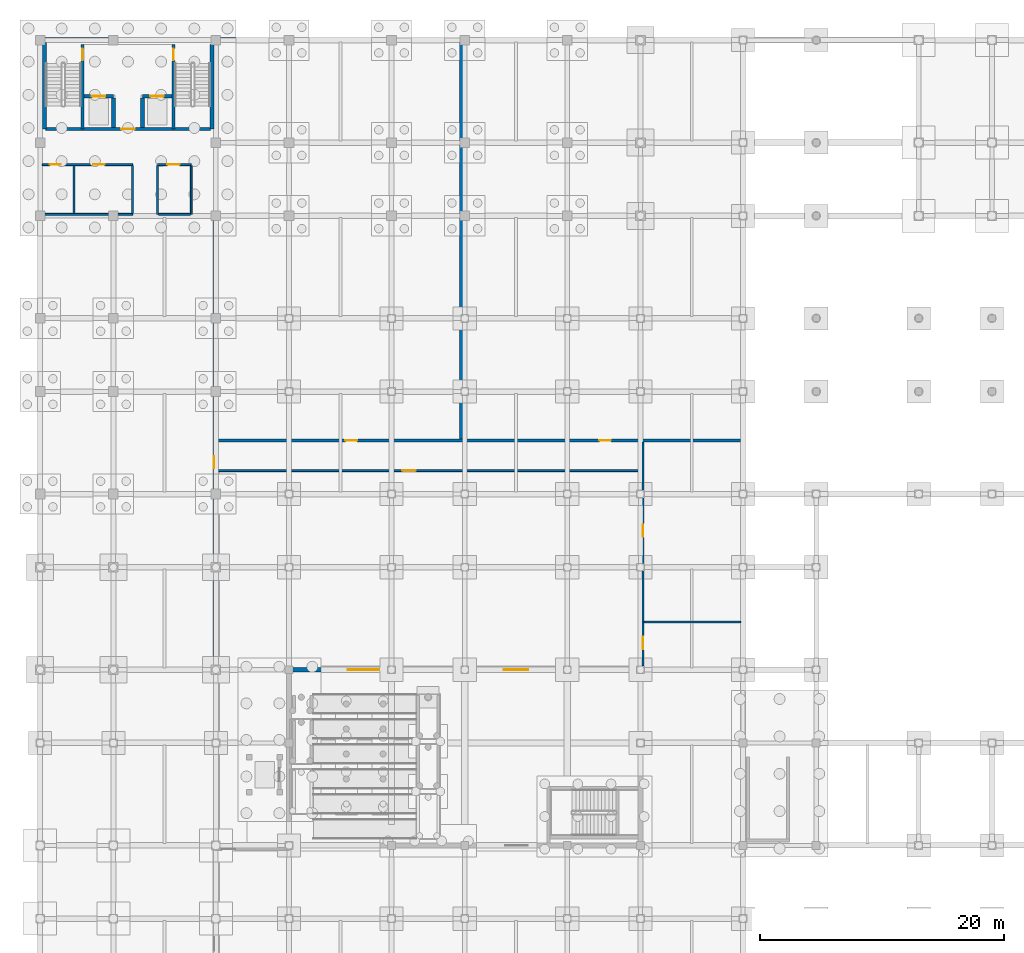
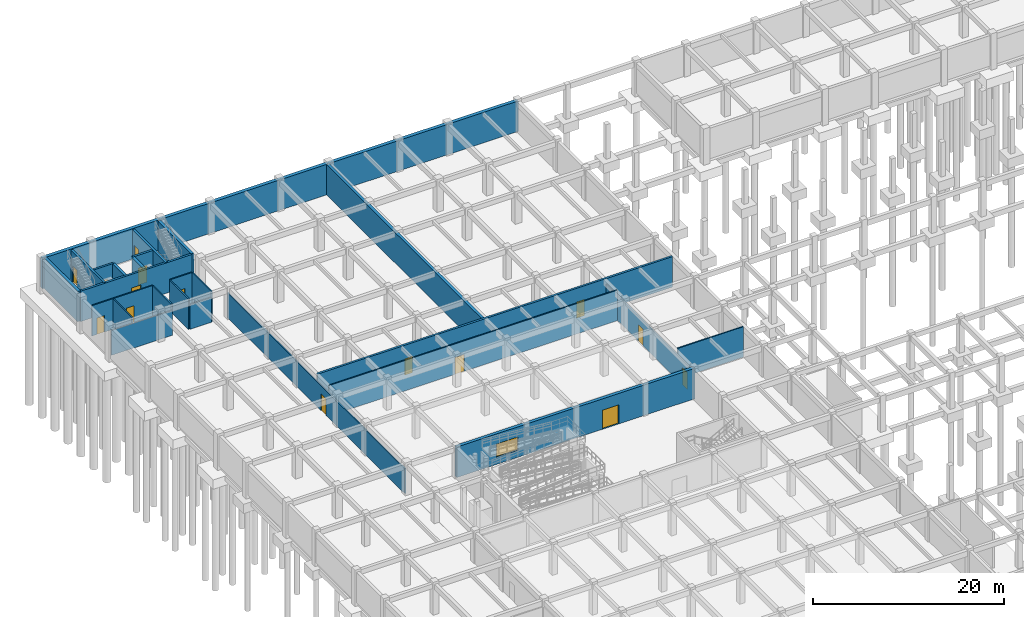
# One storey, part 28 of 40: 25 walls, 15 doors, 1 window, 16 openings.
"""IFC4 building model written with IfcOpenShell, lengths in metres."""

from ifc_helpers import new_model, si_unit, direction, frame, frame_2d, origin, place, context, subcontext, project, spatial, rectangle, extrude, material, layer, layer_set, type_object, element, fill, save


model = new_model("IFC4")

# Units and contexts
model_context = context("Model", 3, precision=1e-05, world=origin(), true_north=direction((0.0, 1.0)))
body_context = subcontext(model_context, "Body", "Model", "MODEL_VIEW")
ifc_project = project(units=[si_unit("LENGTHUNIT", "METRE"), si_unit("AREAUNIT", "SQUARE_METRE"), si_unit("VOLUMEUNIT", "CUBIC_METRE"), si_unit("PLANEANGLEUNIT", "RADIAN"), si_unit("MASSUNIT", "GRAM", prefix="KILO"), si_unit("THERMODYNAMICTEMPERATUREUNIT", "KELVIN")], contexts=[model_context])

# Site, building, storey
site_placement = place(None, origin())
site = spatial("IfcSite", under=ifc_project, at=site_placement, CompositionType="ELEMENT")
building_placement = place(site_placement, origin())
building = spatial("IfcBuilding", under=site, at=building_placement, Name="Thalorik Housing Commons", CompositionType="ELEMENT")
storey_placement = place(building_placement, frame((0.0, 0.0, -4.199951171875)))
storey = spatial("IfcBuildingStorey", under=building, at=storey_placement, Name="B1", CompositionType="ELEMENT", Elevation=-4.199951171875)

# Wall, opening, door
ifc_material_1 = material(Name="Concrete C40/50", Category="concrete")
ifc_layer_1 = layer(ifc_material_1, 0.25, Name="Concrete C40/50", Category="concrete")
ifc_layer_set_1 = layer_set([ifc_layer_1], Name="Concrete C40/50")
wall_type_1 = type_object("IfcWallType", Name="ARC-WAL-CORE-250", PredefinedType="SHEAR", material=ifc_layer_set_1)
wall_1_placement = place(storey_placement, frame((11.875, 123.25, 0.0), z_axis=(0.0, 0.0, 1.0), x_axis=(0.0, -1.0, 0.0)))
wall_1 = element("IfcWall", 1, at=wall_1_placement, inside=storey, type_object=wall_type_1, Name="B1 Core A Stair 1 Shear Wall", PredefinedType="SHEAR", context=body_context, shape_type="SweptSolid", body=[
    extrude(rectangle(XDim=6.925048828125, YDim=0.25, at=frame_2d((3.46240234375, 0.0))), origin(), (0.0, 0.0, 1.0), 3.89990234375),
])
opening_1_placement = place(wall_1_placement, frame((0.35009765625, 0.0, 0.0)))
opening_1 = element("IfcOpeningElement", 2, at=opening_1_placement, cuts=wall_1, Name="Opening ID-0001", PredefinedType="OPENING", context=body_context, shape_type="SweptSolid", body=[
    extrude(rectangle(XDim=0.949951171875, YDim=2.10009765625, at=frame_2d((0.47509765625, 1.050048828125))), frame((0.0, 0.135009765625, 0.0), z_axis=(0.0, -1.0, 0.0), x_axis=(1.0, 0.0, 0.0)), (0.0, 0.0, 1.0), 0.27001953125),
])
ifc_material_2 = material(Name="Steel S355", Category="steel")
door_type_1 = type_object("IfcDoorType", Name="ARC-DR-FD60-950", OperationType="NOTDEFINED", PredefinedType="DOOR", material=ifc_material_2)
door_1_placement = place(opening_1_placement, origin())
door_1 = element("IfcDoor", 3, at=door_1_placement, inside=storey, type_object=door_type_1, Name="B1 Stair ST-A1 Fire Door", OperationType="SINGLE_SWING_RIGHT", OverallHeight=2.10009765625, OverallWidth=0.949951171875, PredefinedType="DOOR", context=body_context, shape_type="SweptSolid", body=[
    extrude(rectangle(XDim=0.949951171875, YDim=2.10009765625, at=frame_2d((0.47509765625, 1.050048828125))), frame((0.0, 0.02490234375, 0.0), z_axis=(0.0, -1.0, 0.0), x_axis=(1.0, 0.0, 0.0)), (0.0, 0.0, 1.0), 0.050048828125),
])
fill(opening_1, door_1)

wall_2_placement = place(storey_placement, frame((19.324951171875, 123.25, 0.0), z_axis=(0.0, 0.0, 1.0), x_axis=(0.0, -1.0, 0.0)))
wall_2 = element("IfcWall", 4, at=wall_2_placement, inside=storey, type_object=wall_type_1, Name="B1 Core A Stair 2 Shear Wall", PredefinedType="SHEAR", context=body_context, shape_type="SweptSolid", body=[
    extrude(rectangle(XDim=6.925048828125, YDim=0.25, at=frame_2d((3.46240234375, 0.0))), origin(), (0.0, 0.0, 1.0), 3.89990234375),
])
opening_2_placement = place(wall_2_placement, frame((0.35009765625, 0.0, 0.0)))
opening_2 = element("IfcOpeningElement", 5, at=opening_2_placement, cuts=wall_2, Name="Opening ID-0002", PredefinedType="OPENING", context=body_context, shape_type="SweptSolid", body=[
    extrude(rectangle(XDim=0.949951171875, YDim=2.10009765625, at=frame_2d((0.47509765625, 1.050048828125))), frame((0.0, 0.135009765625, 0.0), z_axis=(0.0, -1.0, 0.0), x_axis=(1.0, 0.0, 0.0)), (0.0, 0.0, 1.0), 0.27001953125),
])
door_2_placement = place(opening_2_placement, origin())
door_2 = element("IfcDoor", 6, at=door_2_placement, inside=storey, type_object=door_type_1, Name="B1 Stair ST-A2 Fire Door", OperationType="SINGLE_SWING_LEFT", OverallHeight=2.10009765625, OverallWidth=0.949951171875, PredefinedType="DOOR", context=body_context, shape_type="SweptSolid", body=[
    extrude(rectangle(XDim=0.949951171875, YDim=2.10009765625, at=frame_2d((0.47509765625, 1.050048828125))), frame((0.0, 0.02490234375, 0.0), z_axis=(0.0, -1.0, 0.0), x_axis=(1.0, 0.0, 0.0)), (0.0, 0.0, 1.0), 0.050048828125),
])
fill(opening_2, door_2)

wall_3_placement = place(storey_placement, frame((12.0, 119.0, 0.0), z_axis=(0.0, 0.0, 1.0), x_axis=(1.0, 0.0, 0.0)))
wall_3 = element("IfcWall", 7, at=wall_3_placement, inside=storey, type_object=wall_type_1, Name="B1 Lift LF-A1 Front Shaft Wall", PredefinedType="SHEAR", context=body_context, shape_type="SweptSolid", body=[
    extrude(rectangle(XDim=2.425048828125, YDim=0.25, at=frame_2d((1.21240234375, 0.0))), origin(), (0.0, 0.0, 1.0), 3.89990234375),
])
opening_3_placement = place(wall_3_placement, frame((0.64990234375, 0.0, 0.0)))
opening_3 = element("IfcOpeningElement", 8, at=opening_3_placement, cuts=wall_3, Name="Opening LD-LF-A1-B1", PredefinedType="OPENING", context=body_context, shape_type="SweptSolid", body=[
    extrude(rectangle(XDim=1.10009765625, YDim=2.14990234375, at=frame_2d((0.550048828125, 1.074951171875))), frame((0.0, 0.135009765625, 0.0), z_axis=(0.0, -1.0, 0.0), x_axis=(1.0, 0.0, 0.0)), (0.0, 0.0, 1.0), 0.27001953125),
])
door_type_2 = type_object("IfcDoorType", Name="ARC-DR-LIFT-1100", OperationType="NOTDEFINED", PredefinedType="DOOR", material=ifc_material_2)
door_3_placement = place(opening_3_placement, origin())
door_3 = element("IfcDoor", 9, at=door_3_placement, inside=storey, type_object=door_type_2, Name="B1 Lift LF-A1 Landing Door", OperationType="SLIDING_TO_LEFT", OverallHeight=2.14990234375, OverallWidth=1.10009765625, PredefinedType="DOOR", context=body_context, shape_type="SweptSolid", body=[
    extrude(rectangle(XDim=1.10009765625, YDim=2.14990234375, at=frame_2d((0.550048828125, 1.074951171875))), frame((0.0, 0.02490234375, 0.0), z_axis=(0.0, -1.0, 0.0), x_axis=(1.0, 0.0, 0.0)), (0.0, 0.0, 1.0), 0.050048828125),
])
fill(opening_3, door_3)

wall_4_placement = place(storey_placement, frame((16.77490234375, 119.0, 0.0), z_axis=(0.0, 0.0, 1.0), x_axis=(1.0, 0.0, 0.0)))
wall_4 = element("IfcWall", 10, at=wall_4_placement, inside=storey, type_object=wall_type_1, Name="B1 Lift LP-A2 Front Shaft Wall", PredefinedType="SHEAR", context=body_context, shape_type="SweptSolid", body=[
    extrude(rectangle(XDim=2.425048828125, YDim=0.25, at=frame_2d((1.21240234375, 0.0))), origin(), (0.0, 0.0, 1.0), 3.89990234375),
])
opening_4_placement = place(wall_4_placement, frame((0.64990234375, 0.0, 0.0)))
opening_4 = element("IfcOpeningElement", 11, at=opening_4_placement, cuts=wall_4, Name="Opening LD-LP-A2-B1", PredefinedType="OPENING", context=body_context, shape_type="SweptSolid", body=[
    extrude(rectangle(XDim=1.10009765625, YDim=2.14990234375, at=frame_2d((0.550048828125, 1.074951171875))), frame((0.0, 0.135009765625, 0.0), z_axis=(0.0, -1.0, 0.0), x_axis=(1.0, 0.0, 0.0)), (0.0, 0.0, 1.0), 0.27001953125),
])
door_4_placement = place(opening_4_placement, origin())
door_4 = element("IfcDoor", 12, at=door_4_placement, inside=storey, type_object=door_type_2, Name="B1 Lift LP-A2 Landing Door", OperationType="SLIDING_TO_LEFT", OverallHeight=2.14990234375, OverallWidth=1.10009765625, PredefinedType="DOOR", context=body_context, shape_type="SweptSolid", body=[
    extrude(rectangle(XDim=1.10009765625, YDim=2.14990234375, at=frame_2d((0.550048828125, 1.074951171875))), frame((0.0, 0.02490234375, 0.0), z_axis=(0.0, -1.0, 0.0), x_axis=(1.0, 0.0, 0.0)), (0.0, 0.0, 1.0), 0.050048828125),
])
fill(opening_4, door_4)

wall_5_placement = place(storey_placement, frame((8.85009765625, 116.324951171875, 0.0), z_axis=(0.0, 0.0, 1.0), x_axis=(1.0, 0.0, 0.0)))
wall_5 = element("IfcWall", 13, at=wall_5_placement, inside=storey, type_object=wall_type_1, Name="B1 Core A Spine Shear Wall", PredefinedType="SHEAR", context=body_context, shape_type="SweptSolid", body=[
    extrude(rectangle(XDim=13.5, YDim=0.25, at=frame_2d((6.75, 0.0))), origin(), (0.0, 0.0, 1.0), 3.89990234375),
])
opening_5_placement = place(wall_5_placement, frame((6.199951171875, 0.0, 0.0)))
opening_5 = element("IfcOpeningElement", 14, at=opening_5_placement, cuts=wall_5, Name="Opening ID-0005", PredefinedType="OPENING", context=body_context, shape_type="SweptSolid", body=[
    extrude(rectangle(XDim=1.10009765625, YDim=2.14990234375, at=frame_2d((0.550048828125, 1.074951171875))), frame((0.0, 0.135009765625, 0.0), z_axis=(0.0, -1.0, 0.0), x_axis=(1.0, 0.0, 0.0)), (0.0, 0.0, 1.0), 0.27001953125),
])
door_type_3 = type_object("IfcDoorType", Name="ARC-DR-FD60-1100", OperationType="NOTDEFINED", PredefinedType="DOOR", material=ifc_material_2)
door_5_placement = place(opening_5_placement, origin())
door_5 = element("IfcDoor", 15, at=door_5_placement, inside=storey, type_object=door_type_3, Name="B1 Core A Lobby Fire Door", OperationType="SINGLE_SWING_RIGHT", OverallHeight=2.14990234375, OverallWidth=1.10009765625, PredefinedType="DOOR", context=body_context, shape_type="SweptSolid", body=[
    extrude(rectangle(XDim=1.10009765625, YDim=2.14990234375, at=frame_2d((0.550048828125, 1.074951171875))), frame((0.0, 0.02490234375, 0.0), z_axis=(0.0, -1.0, 0.0), x_axis=(1.0, 0.0, 0.0)), (0.0, 0.0, 1.0), 0.050048828125),
])
fill(opening_5, door_5)

# Wall, openings, doors
wall_6_placement = place(storey_placement, frame((22.800048828125, 90.780029296875, 0.0), z_axis=(0.0, 0.0, 1.0), x_axis=(1.0, 0.0, 0.0)))
wall_6 = element("IfcWall", 16, at=wall_6_placement, inside=storey, type_object=wall_type_1, Name="B1 Cistern Tank Wall", PredefinedType="SHEAR", context=body_context, shape_type="SweptSolid", body=[
    extrude(rectangle(XDim=43.0, YDim=0.25, at=frame_2d((21.5, 0.0))), origin(), (0.0, 0.0, 1.0), 3.89990234375),
])
opening_6_placement = place(wall_6_placement, frame((10.62255859375, 0.0, 0.0)))
opening_6 = element("IfcOpeningElement", 17, at=opening_6_placement, cuts=wall_6, Name="Opening ID-2231", PredefinedType="OPENING", context=body_context, shape_type="SweptSolid", body=[
    extrude(rectangle(XDim=0.949951171875, YDim=2.10009765625, at=frame_2d((0.47509765625, 1.050048828125))), frame((0.0, 0.135009765625, 0.0), z_axis=(0.0, -1.0, 0.0), x_axis=(1.0, 0.0, 0.0)), (0.0, 0.0, 1.0), 0.27001953125),
])
opening_7_placement = place(wall_6_placement, frame((31.427490234375, 0.0, 0.0)))
opening_7 = element("IfcOpeningElement", 18, at=opening_7_placement, cuts=wall_6, Name="Opening ID-2232", PredefinedType="OPENING", context=body_context, shape_type="SweptSolid", body=[
    extrude(rectangle(XDim=0.949951171875, YDim=2.10009765625, at=frame_2d((0.47509765625, 1.050048828125))), frame((0.0, 0.135009765625, 0.0), z_axis=(0.0, -1.0, 0.0), x_axis=(1.0, 0.0, 0.0)), (0.0, 0.0, 1.0), 0.27001953125),
])
door_6_placement = place(opening_6_placement, origin())
door_6 = element("IfcDoor", 19, at=door_6_placement, inside=storey, type_object=door_type_1, Name="Potable Cistern Valve Access Door", OperationType="SINGLE_SWING_RIGHT", OverallHeight=2.10009765625, OverallWidth=0.949951171875, PredefinedType="DOOR", context=body_context, shape_type="SweptSolid", body=[
    extrude(rectangle(XDim=0.949951171875, YDim=2.10009765625, at=frame_2d((0.47509765625, 1.050048828125))), frame((0.0, 0.02490234375, 0.0), z_axis=(0.0, -1.0, 0.0), x_axis=(1.0, 0.0, 0.0)), (0.0, 0.0, 1.0), 0.050048828125),
])
fill(opening_6, door_6)
door_7_placement = place(opening_7_placement, origin())
door_7 = element("IfcDoor", 20, at=door_7_placement, inside=storey, type_object=door_type_1, Name="Stormwater Tank Access Door", OperationType="SINGLE_SWING_LEFT", OverallHeight=2.10009765625, OverallWidth=0.949951171875, PredefinedType="DOOR", context=body_context, shape_type="SweptSolid", body=[
    extrude(rectangle(XDim=0.949951171875, YDim=2.10009765625, at=frame_2d((0.47509765625, 1.050048828125))), frame((0.0, 0.02490234375, 0.0), z_axis=(0.0, -1.0, 0.0), x_axis=(1.0, 0.0, 0.0)), (0.0, 0.0, 1.0), 0.050048828125),
])
fill(opening_7, door_7)

# Walls
ifc_layer_2 = layer(ifc_material_1, 0.340087890625, Name="Concrete C40/50", Category="concrete")
ifc_layer_set_2 = layer_set([ifc_layer_2], Name="Concrete C40/50")
wall_type_2 = type_object("IfcWallType", Name="ARC-WAL-CORE-340", PredefinedType="SHEAR", material=ifc_layer_set_2)
wall_7_placement = place(storey_placement, frame((8.764892578125, 123.39990234375, 0.0), z_axis=(0.0, 0.0, 1.0), x_axis=(0.0, -1.0, 0.0)))
element("IfcWall", 21, at=wall_7_placement, inside=storey, type_object=wall_type_2, Name="B1 Core A Stair 1 Outer Shear Wall", PredefinedType="SHEAR", context=body_context, shape_type="SweptSolid", body=[
    extrude(rectangle(XDim=7.074951171875, YDim=0.340087890625, at=frame_2d((3.53759765625, 0.0))), origin(), (0.0, 0.0, 1.0), 3.89990234375),
])
wall_8_placement = place(storey_placement, frame((22.47509765625, 123.25, 0.0), z_axis=(0.0, 0.0, 1.0), x_axis=(0.0, -1.0, 0.0)))
element("IfcWall", 22, at=wall_8_placement, inside=storey, type_object=wall_type_2, Name="B1 Core A Stair 2 Outer Shear Wall", PredefinedType="SHEAR", context=body_context, shape_type="SweptSolid", body=[
    extrude(rectangle(XDim=6.925048828125, YDim=0.340087890625, at=frame_2d((3.46240234375, 0.0))), origin(), (0.0, 0.0, 1.0), 3.89990234375),
])
for number, where, z_axis, x_axis, name in (
    (23, (14.425048828125, 118.875, 0.0), (0.0, 0.0, 1.0), (0.0, -1.0, 0.0), "B1 Lift 1 Cheek Wall"),
    (24, (16.77490234375, 118.875, 0.0), (0.0, 0.0, 1.0), (0.0, -1.0, 0.0), "B1 Lift 2 Cheek Wall"),
):
    element("IfcWall", number, at=place(storey_placement, frame(where, z_axis=z_axis, x_axis=x_axis)), inside=storey, type_object=wall_type_2, Name=name, PredefinedType="SHEAR", context=body_context, shape_type="SweptSolid", body=[
        extrude(rectangle(XDim=2.425048828125, YDim=0.340087890625, at=frame_2d((1.21240234375, 0.0))), origin(), (0.0, 0.0, 1.0), 3.89990234375),
    ])
wall_9_placement = place(storey_placement, frame((42.949951171875, 90.780029296875, 0.0), z_axis=(0.0, 0.0, 1.0), x_axis=(0.0, 1.0, 0.0)))
element("IfcWall", 25, at=wall_9_placement, inside=storey, type_object=wall_type_2, Name="B1 Cistern Compartment Wall", PredefinedType="SHEAR", context=body_context, shape_type="SweptSolid", body=[
    extrude(rectangle(XDim=32.619873046875, YDim=0.340087890625, at=frame_2d((16.31005859375, 0.0))), origin(), (0.0, 0.0, 1.0), 3.89990234375),
])

# Wall, opening, door
ifc_material_3 = material(Name="Masonry fire-rated corridor wall", Category="masonry")
ifc_layer_3 = layer(ifc_material_3, 0.14990234375, Name="Masonry fire-rated corridor wall", Category="masonry")
ifc_layer_set_3 = layer_set([ifc_layer_3], Name="Masonry fire-rated corridor wall")
wall_type_3 = type_object("IfcWallType", Name="ARC-WAL-CORR-150", PredefinedType="PARTITIONING", material=ifc_layer_set_3)
wall_10_placement = place(storey_placement, frame((22.800048828125, 88.320068359375, 0.0), z_axis=(0.0, 0.0, 1.0), x_axis=(1.0, 0.0, 0.0)))
wall_10 = element("IfcWall", 26, at=wall_10_placement, inside=storey, type_object=wall_type_3, Name="B1 Metro Vestibule North Wall", PredefinedType="PARTITIONING", context=body_context, shape_type="SweptSolid", body=[
    extrude(rectangle(XDim=34.924072265625, YDim=0.14990234375, at=frame_2d((17.4619140625, 0.0))), origin(), (0.0, 0.0, 1.0), 3.89990234375),
])
opening_8_placement = place(wall_10_placement, frame((15.277099609375, 0.0, 0.0)))
opening_8 = element("IfcOpeningElement", 27, at=opening_8_placement, cuts=wall_10, Name="Opening ID-2230", PredefinedType="OPENING", context=body_context, shape_type="SweptSolid", body=[
    extrude(rectangle(XDim=1.10009765625, YDim=2.14990234375, at=frame_2d((0.550048828125, 1.074951171875))), frame((0.0, 0.0849609375, 0.0), z_axis=(0.0, -1.0, 0.0), x_axis=(1.0, 0.0, 0.0)), (0.0, 0.0, 1.0), 0.169921875),
])
door_8_placement = place(opening_8_placement, origin())
door_8 = element("IfcDoor", 28, at=door_8_placement, inside=storey, type_object=door_type_3, Name="Metro Vestibule Service Door", OperationType="SINGLE_SWING_LEFT", OverallHeight=2.14990234375, OverallWidth=1.10009765625, PredefinedType="DOOR", context=body_context, shape_type="SweptSolid", body=[
    extrude(rectangle(XDim=1.10009765625, YDim=2.14990234375, at=frame_2d((0.550048828125, 1.074951171875))), frame((0.0, 0.02490234375, 0.0), z_axis=(0.0, -1.0, 0.0), x_axis=(1.0, 0.0, 0.0)), (0.0, 0.0, 1.0), 0.050048828125),
])
fill(opening_8, door_8)

# Walls
ifc_material_4 = material(Name="Ceramic masonry partition wall", Category="masonry")
ifc_layer_4 = layer(ifc_material_4, 0.14794921875, Name="Ceramic masonry partition wall", Category="masonry")
ifc_layer_set_4 = layer_set([ifc_layer_4], Name="Ceramic masonry partition wall")
wall_type_4 = type_object("IfcWallType", Name="ARC-WAL-PART-150", PredefinedType="PARTITIONING", material=ifc_layer_set_4)
for number, where, z_axis, x_axis, name in (
    (29, (11.175048828125, 113.323974609375, 0.0), (0.0, 0.0, 1.0), (0.0, -1.0, 0.0), "Riser Wall"),
    (30, (15.97509765625, 113.323974609375, 0.0), (0.0, 0.0, 1.0), (0.0, -1.0, 0.0), "Core Stem West Cheek Wall"),
):
    element("IfcWall", number, at=place(storey_placement, frame(where, z_axis=z_axis, x_axis=x_axis)), inside=storey, type_object=wall_type_4, Name=name, PredefinedType="PARTITIONING", context=body_context, shape_type="SweptSolid", body=[
        extrude(rectangle(XDim=3.927978515625, YDim=0.14794921875, at=frame_2d((1.9638671875, 0.0))), origin(), (0.0, 0.0, 1.0), 3.89990234375),
    ])
for number, where, z_axis, x_axis, name in (
    (31, (18.02490234375, 113.323974609375, 0.0), (0.0, 0.0, 1.0), (0.0, -1.0, 0.0), "Core Stem East Cheek Wall"),
    (32, (20.780029296875, 113.323974609375, 0.0), (0.0, 0.0, 1.0), (0.0, -1.0, 0.0), "Core East Enclosing Wall"),
):
    element("IfcWall", number, at=place(storey_placement, frame(where, z_axis=z_axis, x_axis=x_axis)), inside=storey, type_object=wall_type_4, Name=name, PredefinedType="PARTITIONING", context=body_context, shape_type="SweptSolid", body=[
        extrude(rectangle(XDim=4.00390625, YDim=0.14794921875, at=frame_2d((2.001953125, 0.0))), origin(), (0.0, 0.0, 1.0), 3.89990234375),
    ])

# Wall, openings, doors
wall_11_placement = place(storey_placement, frame((8.592041015625, 113.39990234375, 0.0), z_axis=(0.0, 0.0, 1.0), x_axis=(1.0, 0.0, 0.0)))
wall_11 = element("IfcWall", 33, at=wall_11_placement, inside=storey, type_object=wall_type_4, Name="B1 Core A West Corridor Partition", PredefinedType="PARTITIONING", context=body_context, shape_type="SweptSolid", body=[
    extrude(rectangle(XDim=7.383056640625, YDim=0.14794921875, at=frame_2d((3.69140625, 0.0))), origin(), (0.0, 0.0, 1.0), 3.89990234375),
])
opening_9_placement = place(wall_11_placement, frame((0.597900390625, 0.0, 0.0)))
opening_9 = element("IfcOpeningElement", 34, at=opening_9_placement, cuts=wall_11, Name="Opening ID-0006", PredefinedType="OPENING", context=body_context, shape_type="SweptSolid", body=[
    extrude(rectangle(XDim=0.89990234375, YDim=2.10009765625, at=frame_2d((0.449951171875, 1.050048828125))), frame((0.0, 0.083984375, 0.0), z_axis=(0.0, -1.0, 0.0), x_axis=(1.0, 0.0, 0.0)), (0.0, 0.0, 1.0), 0.16796875),
])
opening_10_placement = place(wall_11_placement, frame((4.14794921875, 0.0, 0.0)))
opening_10 = element("IfcOpeningElement", 35, at=opening_10_placement, cuts=wall_11, Name="Opening ID-0007", PredefinedType="OPENING", context=body_context, shape_type="SweptSolid", body=[
    extrude(rectangle(XDim=0.949951171875, YDim=2.10009765625, at=frame_2d((0.47509765625, 1.050048828125))), frame((0.0, 0.083984375, 0.0), z_axis=(0.0, -1.0, 0.0), x_axis=(1.0, 0.0, 0.0)), (0.0, 0.0, 1.0), 0.16796875),
])
door_type_4 = type_object("IfcDoorType", Name="ARC-DR-FD60-900", OperationType="NOTDEFINED", PredefinedType="DOOR", material=ifc_material_2)
door_9_placement = place(opening_9_placement, origin())
door_9 = element("IfcDoor", 36, at=door_9_placement, inside=storey, type_object=door_type_4, Name="Electrical Riser Door", OperationType="SINGLE_SWING_LEFT", OverallHeight=2.10009765625, OverallWidth=0.89990234375, PredefinedType="DOOR", context=body_context, shape_type="SweptSolid", body=[
    extrude(rectangle(XDim=0.89990234375, YDim=2.10009765625, at=frame_2d((0.449951171875, 1.050048828125))), frame((0.0, 0.02490234375, 0.0), z_axis=(0.0, -1.0, 0.0), x_axis=(1.0, 0.0, 0.0)), (0.0, 0.0, 1.0), 0.050048828125),
])
fill(opening_9, door_9)
ifc_material_5 = material(Name="Engineered oak timber", Category="wood")
door_type_5 = type_object("IfcDoorType", Name="ARC-DR-INT-950", OperationType="NOTDEFINED", PredefinedType="DOOR", material=ifc_material_5)
door_10_placement = place(opening_10_placement, origin())
door_10 = element("IfcDoor", 37, at=door_10_placement, inside=storey, type_object=door_type_5, Name="Accessible Bathroom Door", OperationType="SINGLE_SWING_RIGHT", OverallHeight=2.10009765625, OverallWidth=0.949951171875, PredefinedType="DOOR", context=body_context, shape_type="SweptSolid", body=[
    extrude(rectangle(XDim=0.949951171875, YDim=2.10009765625, at=frame_2d((0.47509765625, 1.050048828125))), frame((0.0, 0.02490234375, 0.0), z_axis=(0.0, -1.0, 0.0), x_axis=(1.0, 0.0, 0.0)), (0.0, 0.0, 1.0), 0.050048828125),
])
fill(opening_10, door_10)

# Wall, opening, door
wall_12_placement = place(storey_placement, frame((18.02490234375, 113.39990234375, 0.0), z_axis=(0.0, 0.0, 1.0), x_axis=(1.0, 0.0, 0.0)))
wall_12 = element("IfcWall", 38, at=wall_12_placement, inside=storey, type_object=wall_type_4, Name="B1 Core A East Corridor Partition", PredefinedType="PARTITIONING", context=body_context, shape_type="SweptSolid", body=[
    extrude(rectangle(XDim=2.755126953125, YDim=0.14794921875, at=frame_2d((1.37744140625, 0.0))), origin(), (0.0, 0.0, 1.0), 3.89990234375),
])
opening_11_placement = place(wall_12_placement, frame((0.800048828125, 0.0, 0.0)))
opening_11 = element("IfcOpeningElement", 39, at=opening_11_placement, cuts=wall_12, Name="Opening ID-0008", PredefinedType="OPENING", context=body_context, shape_type="SweptSolid", body=[
    extrude(rectangle(XDim=1.0, YDim=2.14990234375, at=frame_2d((0.5, 1.074951171875))), frame((0.0, 0.083984375, 0.0), z_axis=(0.0, -1.0, 0.0), x_axis=(1.0, 0.0, 0.0)), (0.0, 0.0, 1.0), 0.16796875),
])
door_type_6 = type_object("IfcDoorType", Name="ARC-DR-FD60-1000", OperationType="NOTDEFINED", PredefinedType="DOOR", material=ifc_material_2)
door_11_placement = place(opening_11_placement, origin())
door_11 = element("IfcDoor", 40, at=door_11_placement, inside=storey, type_object=door_type_6, Name="Core Hub Room Door", OperationType="SINGLE_SWING_LEFT", OverallHeight=2.14990234375, OverallWidth=1.0, PredefinedType="DOOR", context=body_context, shape_type="SweptSolid", body=[
    extrude(rectangle(XDim=1.0, YDim=2.14990234375, at=frame_2d((0.5, 1.074951171875))), frame((0.0, 0.02490234375, 0.0), z_axis=(0.0, -1.0, 0.0), x_axis=(1.0, 0.0, 0.0)), (0.0, 0.0, 1.0), 0.050048828125),
])
fill(opening_11, door_11)

# Walls
wall_13_placement = place(storey_placement, frame((8.592041015625, 109.320068359375, 0.0), z_axis=(0.0, 0.0, 1.0), x_axis=(1.0, 0.0, 0.0)))
element("IfcWall", 41, at=wall_13_placement, inside=storey, type_object=wall_type_4, Name="B1 Core A West Rooms Back Wall", PredefinedType="PARTITIONING", context=body_context, shape_type="SweptSolid", body=[
    extrude(rectangle(XDim=7.383056640625, YDim=0.14794921875, at=frame_2d((3.69140625, 0.0))), origin(), (0.0, 0.0, 1.0), 3.18505859375),
])
wall_14_placement = place(storey_placement, frame((18.10107421875, 109.320068359375, 0.0), z_axis=(0.0, 0.0, 1.0), x_axis=(1.0, 0.0, 0.0)))
element("IfcWall", 42, at=wall_14_placement, inside=storey, type_object=wall_type_4, Name="B1 Core A East Rooms Back Wall", PredefinedType="PARTITIONING", context=body_context, shape_type="SweptSolid", body=[
    extrude(rectangle(XDim=2.60302734375, YDim=0.14794921875, at=frame_2d((1.301513671875, 0.0))), origin(), (0.0, 0.0, 1.0), 3.18505859375),
])

# Wall, openings, doors
wall_15_placement = place(storey_placement, frame((57.800048828125, 72.300048828125, 0.0), z_axis=(0.0, 0.0, 1.0), x_axis=(0.0, 1.0, 0.0)))
wall_15 = element("IfcWall", 43, at=wall_15_placement, inside=storey, type_object=wall_type_4, Name="B1 East Plant Corridor Wall", PredefinedType="PARTITIONING", context=body_context, shape_type="SweptSolid", body=[
    extrude(rectangle(XDim=18.349853515625, YDim=0.14794921875, at=frame_2d((9.1748046875, 0.0))), origin(), (0.0, 0.0, 1.0), 3.18505859375),
])
opening_12_placement = place(wall_15_placement, frame((1.39990234375, 0.0, 0.0)))
opening_12 = element("IfcOpeningElement", 44, at=opening_12_placement, cuts=wall_15, Name="Opening ID-2227", PredefinedType="OPENING", context=body_context, shape_type="SweptSolid", body=[
    extrude(rectangle(XDim=1.0, YDim=2.14990234375, at=frame_2d((0.5, 1.074951171875))), frame((0.0, 0.083984375, 0.0), z_axis=(0.0, -1.0, 0.0), x_axis=(1.0, 0.0, 0.0)), (0.0, 0.0, 1.0), 0.16796875),
])
opening_13_placement = place(wall_15_placement, frame((10.60009765625, 0.0, 0.0)))
opening_13 = element("IfcOpeningElement", 45, at=opening_13_placement, cuts=wall_15, Name="Opening ID-2228", PredefinedType="OPENING", context=body_context, shape_type="SweptSolid", body=[
    extrude(rectangle(XDim=1.0, YDim=2.14990234375, at=frame_2d((0.5, 1.074951171875))), frame((0.0, 0.083984375, 0.0), z_axis=(0.0, -1.0, 0.0), x_axis=(1.0, 0.0, 0.0)), (0.0, 0.0, 1.0), 0.16796875),
])
door_12_placement = place(opening_12_placement, origin())
door_12 = element("IfcDoor", 46, at=door_12_placement, inside=storey, type_object=door_type_6, Name="B1 Electrical Substation Door", OperationType="SINGLE_SWING_RIGHT", OverallHeight=2.14990234375, OverallWidth=1.0, PredefinedType="DOOR", context=body_context, shape_type="SweptSolid", body=[
    extrude(rectangle(XDim=1.0, YDim=2.14990234375, at=frame_2d((0.5, 1.074951171875))), frame((0.0, 0.02490234375, 0.0), z_axis=(0.0, -1.0, 0.0), x_axis=(1.0, 0.0, 0.0)), (0.0, 0.0, 1.0), 0.050048828125),
])
fill(opening_12, door_12)
door_13_placement = place(opening_13_placement, origin())
door_13 = element("IfcDoor", 47, at=door_13_placement, inside=storey, type_object=door_type_6, Name="B1 Pump Plant Door", OperationType="SINGLE_SWING_LEFT", OverallHeight=2.14990234375, OverallWidth=1.0, PredefinedType="DOOR", context=body_context, shape_type="SweptSolid", body=[
    extrude(rectangle(XDim=1.0, YDim=2.14990234375, at=frame_2d((0.5, 1.074951171875))), frame((0.0, 0.02490234375, 0.0), z_axis=(0.0, -1.0, 0.0), x_axis=(1.0, 0.0, 0.0)), (0.0, 0.0, 1.0), 0.050048828125),
])
fill(opening_13, door_13)

# Wall
wall_16_placement = place(storey_placement, frame((57.8759765625, 75.919921875, 0.0), z_axis=(0.0, 0.0, 1.0), x_axis=(1.0, 0.0, 0.0)))
element("IfcWall", 48, at=wall_16_placement, inside=storey, type_object=wall_type_4, Name="B1 Plant Divider Wall", PredefinedType="PARTITIONING", context=body_context, shape_type="SweptSolid", body=[
    extrude(rectangle(XDim=7.924072265625, YDim=0.14794921875, at=frame_2d((3.9619140625, 0.0))), origin(), (0.0, 0.0, 1.0), 3.89990234375),
])

# Wall, opening, door
wall_17_placement = place(storey_placement, frame((22.64990234375, 72.0, 0.0), z_axis=(0.0, 0.0, 1.0), x_axis=(0.0, 1.0, 0.0)))
wall_17 = element("IfcWall", 49, at=wall_17_placement, inside=storey, type_object=wall_type_4, Name="B1 Household Storage East Wall", PredefinedType="PARTITIONING", context=body_context, shape_type="SweptSolid", body=[
    extrude(rectangle(XDim=37.199951171875, YDim=0.14794921875, at=frame_2d((18.60009765625, 0.0))), origin(), (0.0, 0.0, 1.0), 3.18505859375),
])
opening_14_placement = place(wall_17_placement, frame((16.5, 0.0, 0.0)))
opening_14 = element("IfcOpeningElement", 50, at=opening_14_placement, cuts=wall_17, Name="Opening ID-2229", PredefinedType="OPENING", context=body_context, shape_type="SweptSolid", body=[
    extrude(rectangle(XDim=1.0, YDim=2.14990234375, at=frame_2d((0.5, 1.074951171875))), frame((0.0, 0.083984375, 0.0), z_axis=(0.0, -1.0, 0.0), x_axis=(1.0, 0.0, 0.0)), (0.0, 0.0, 1.0), 0.16796875),
])
door_14_placement = place(opening_14_placement, origin())
door_14 = element("IfcDoor", 51, at=door_14_placement, inside=storey, type_object=door_type_6, Name="B1 Household Storage Door", OperationType="SINGLE_SWING_RIGHT", OverallHeight=2.14990234375, OverallWidth=1.0, PredefinedType="DOOR", context=body_context, shape_type="SweptSolid", body=[
    extrude(rectangle(XDim=1.0, YDim=2.14990234375, at=frame_2d((0.5, 1.074951171875))), frame((0.0, 0.02490234375, 0.0), z_axis=(0.0, -1.0, 0.0), x_axis=(1.0, 0.0, 0.0)), (0.0, 0.0, 1.0), 0.050048828125),
])
fill(opening_14, door_14)

# Wall, openings, door, window
ifc_layer_5 = layer(ifc_material_1, 0.3798828125, Name="Concrete C40/50", Category="concrete")
ifc_layer_set_5 = layer_set([ifc_layer_5], Name="Concrete C40/50")
wall_type_5 = type_object("IfcWallType", Name="ARC-WAL-RET-380", PredefinedType="SHEAR", material=ifc_layer_set_5)
wall_18_placement = place(storey_placement, frame((28.800048828125, 72.0, 0.0), z_axis=(0.0, 0.0, 1.0), x_axis=(1.0, 0.0, 0.0)))
wall_18 = element("IfcWall", 52, at=wall_18_placement, inside=storey, type_object=wall_type_5, Name="B1 Exterior Wall WAL-B1-RET-07", PredefinedType="SHEAR", context=body_context, shape_type="SweptSolid", body=[
    extrude(rectangle(XDim=28.800048828125, YDim=0.3798828125, at=frame_2d((14.39990234375, 0.0))), origin(), (0.0, 0.0, 1.0), 3.89990234375),
])
opening_15_placement = place(wall_18_placement, frame((17.60009765625, 0.0, 0.0)))
opening_15 = element("IfcOpeningElement", 53, at=opening_15_placement, cuts=wall_18, Name="Opening ED-0002", PredefinedType="OPENING", context=body_context, shape_type="SweptSolid", body=[
    extrude(rectangle(XDim=2.0, YDim=2.449951171875, at=frame_2d((1.0, 1.22509765625))), frame((0.0, 0.199951171875, 0.0), z_axis=(0.0, -1.0, 0.0), x_axis=(1.0, 0.0, 0.0)), (0.0, 0.0, 1.0), 0.39990234375),
])
opening_16_placement = place(wall_18_placement, frame((4.800048828125, 0.0, 0.89990234375)))
opening_16 = element("IfcOpeningElement", 54, at=opening_16_placement, cuts=wall_18, Name="Opening W-39", PredefinedType="OPENING", context=body_context, shape_type="SweptSolid", body=[
    extrude(rectangle(XDim=2.60009765625, YDim=1.699951171875, at=frame_2d((1.300048828125, 0.85009765625))), frame((0.0, 0.199951171875, 0.0), z_axis=(0.0, -1.0, 0.0), x_axis=(1.0, 0.0, 0.0)), (0.0, 0.0, 1.0), 0.39990234375),
])
ifc_material_6 = material(Name="Anodised aluminium and laminated safety glass", Category="aluminium")
door_type_7 = type_object("IfcDoorType", Name="ARC-DR-EXT-MET-2000", OperationType="NOTDEFINED", PredefinedType="DOOR", material=ifc_material_6)
door_15_placement = place(opening_15_placement, frame((2.0, 0.0, 0.0), z_axis=(0.0, 0.0, 1.0), x_axis=(-1.0, 0.0, 0.0)))
door_15 = element("IfcDoor", 55, at=door_15_placement, inside=storey, type_object=door_type_7, Name="B1 Metro Concourse Forecourt Entrance Doors", OperationType="DOUBLE_DOOR_SINGLE_SWING", OverallHeight=2.449951171875, OverallWidth=2.0, PredefinedType="DOOR", context=body_context, shape_type="SweptSolid", body=[
    extrude(rectangle(XDim=2.0, YDim=2.449951171875, at=frame_2d((1.0, 1.22509765625))), frame((0.0, 0.02490234375, 0.0), z_axis=(0.0, -1.0, 0.0), x_axis=(1.0, 0.0, 0.0)), (0.0, 0.0, 1.0), 0.050048828125),
])
fill(opening_15, door_15)
ifc_material_7 = material(Name="Anodised aluminium and solar-control low-E glass", Category="aluminium")
window_type = type_object("IfcWindowType", Name="ARC-WIN-39", PartitioningType="DOUBLE_PANEL_VERTICAL", PredefinedType="WINDOW", material=ifc_material_7)
window_placement = place(opening_16_placement, origin())
window = element("IfcWindow", 56, at=window_placement, inside=storey, type_object=window_type, Name="B1 Facade Window 1", OverallHeight=1.699951171875, OverallWidth=2.60009765625, PartitioningType="DOUBLE_PANEL_VERTICAL", PredefinedType="WINDOW", context=body_context, shape_type="SweptSolid", body=[
    extrude(rectangle(XDim=2.60009765625, YDim=1.699951171875, at=frame_2d((1.300048828125, 0.85009765625))), frame((0.0, 0.030029296875, 0.0), z_axis=(0.0, -1.0, 0.0), x_axis=(1.0, 0.0, 0.0)), (0.0, 0.0, 1.0), 0.06005859375),
])
fill(opening_16, window)

# Wall
ifc_layer_6 = layer(ifc_material_1, 0.419921875, Name="Concrete C40/50", Category="concrete")
ifc_layer_set_6 = layer_set([ifc_layer_6], Name="Concrete C40/50")
wall_type_6 = type_object("IfcWallType", Name="ARC-WAL-RET-420", PredefinedType="SHEAR", material=ifc_layer_set_6)
wall_19_placement = place(storey_placement, frame((66.0, 123.60009765625, 0.0), z_axis=(0.0, 0.0, 1.0), x_axis=(-1.0, 0.0, 0.0)))
element("IfcWall", 57, at=wall_19_placement, inside=storey, type_object=wall_type_6, Name="B1 Exterior Wall WAL-B1-RET-02", PredefinedType="SHEAR", context=body_context, shape_type="SweptSolid", body=[
    extrude(rectangle(XDim=57.60009765625, YDim=0.419921875, at=frame_2d((28.800048828125, 0.0))), origin(), (0.0, 0.0, 1.0), 3.89990234375),
])

save(model, "model.ifc")
